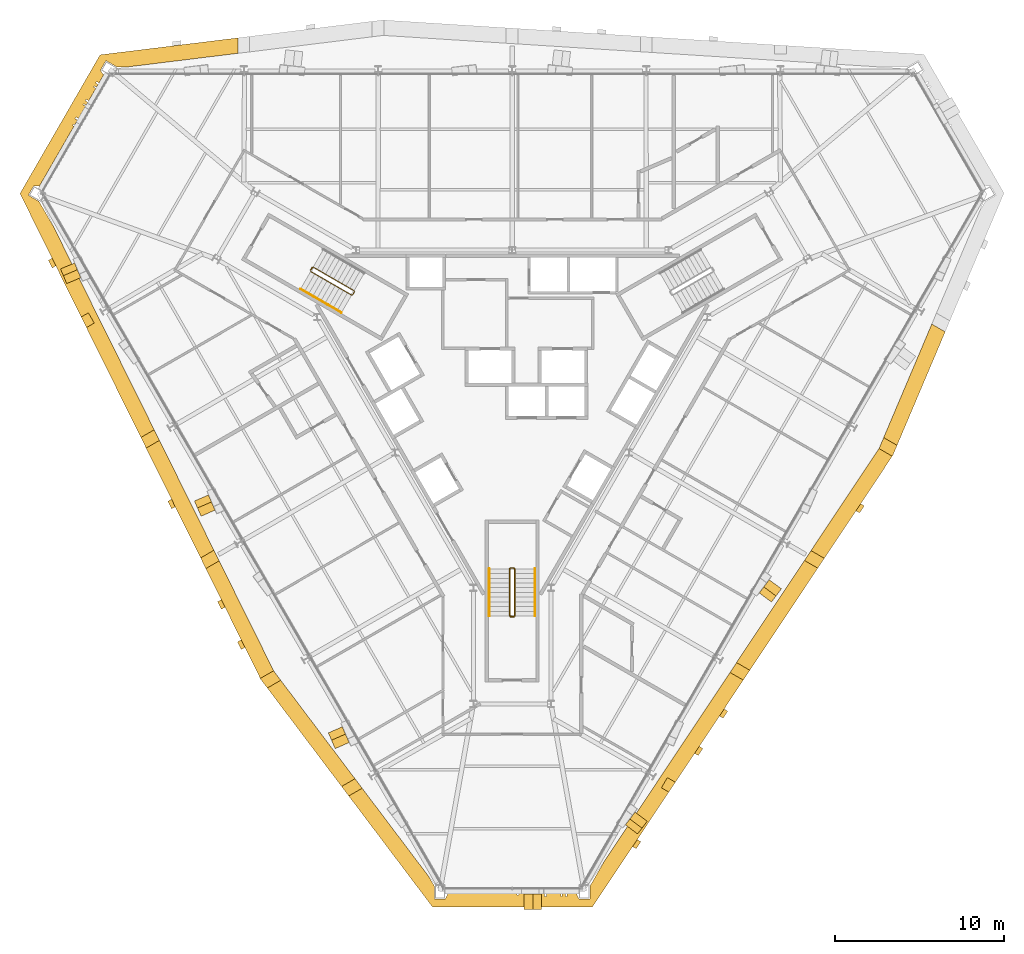
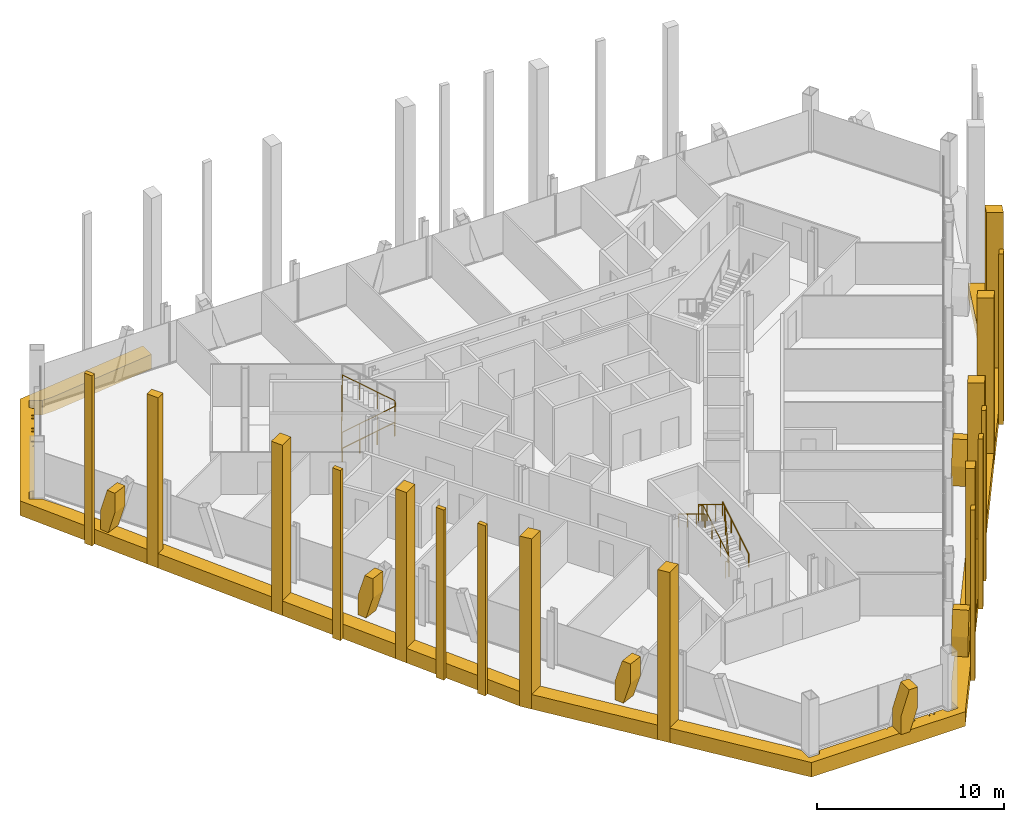
# One storey, part 14 of 15: 31 coverings, 5 railings.
"""IFC4 building model written with IfcOpenShell, lengths in metres."""

from ifc_helpers import new_model, si_unit, direction, frame, origin, origin_2d, place, context, subcontext, project, spatial, polyline, circle, outline, extrude, material, layer, layer_set, type_object, element, save


model = new_model("IFC4")

# Units and contexts
model_context = context("Model", 3, precision=1e-05, world=origin(), true_north=direction((0.0, 1.0)))
body_context = subcontext(model_context, "Body", "Model", "MODEL_VIEW")
ifc_project = project(units=[si_unit("LENGTHUNIT", "METRE"), si_unit("AREAUNIT", "SQUARE_METRE"), si_unit("VOLUMEUNIT", "CUBIC_METRE"), si_unit("PLANEANGLEUNIT", "RADIAN"), si_unit("MASSUNIT", "GRAM", prefix="KILO")], contexts=[model_context])

# Site, building, storey
site_placement = place(None, origin())
site = spatial("IfcSite", under=ifc_project, at=site_placement, CompositionType="ELEMENT")
building_placement = place(site_placement, origin())
building = spatial("IfcBuilding", under=site, at=building_placement, Name="Verrane Prism Tower", CompositionType="ELEMENT")
storey_placement = place(building_placement, frame((0.0, 0.0, 189.5)))
storey = spatial("IfcBuildingStorey", under=building, at=storey_placement, Name="L47", CompositionType="ELEMENT", Elevation=189.5)

# Railings
ifc_material_1 = material(Name="Steel A36 rail and posts, no infill", Category="steel")
railing_type_1 = type_object("IfcRailingType", Name="Stair guard 1100 steel rail and posts", PredefinedType="GUARDRAIL", material=ifc_material_1)
railing_1_placement = place(storey_placement, frame((-11.939453125, 6.72021484375, 0.168212890625)))
element("IfcRailing", 1, at=railing_1_placement, inside=storey, type_object=railing_type_1, Name="Stair 2 guard", PredefinedType="GUARDRAIL", context=body_context, shape_type="SweptSolid", body=[
    extrude(circle(Radius=0.02392578125, at=origin_2d()), frame((0.0, 0.0, 1.076171875), z_axis=(0.742366697286, -0.42866220388, 0.514917859203), x_axis=(0.500049511043, 0.865996816683, 0.0)), (0.0, 0.0, 1.0), 3.266357421875),
    extrude(circle(Radius=0.02392578125, at=origin_2d()), frame((2.4248046875, -1.400146484375, 2.7578125), z_axis=(0.965948051503, 0.258736085224, 0.0), x_axis=(-0.258736085224, 0.965948051503, 0.0)), (0.0, 0.0, 1.0), 0.07080078125),
    extrude(circle(Radius=0.02392578125, at=origin_2d()), frame((2.4931640625, -1.3818359375, 2.7578125), z_axis=(0.499158860599, 0.866510491504, 0.0), x_axis=(-0.866510491504, 0.499158860599, 0.0)), (0.0, 0.0, 1.0), 0.199951171875),
    extrude(circle(Radius=0.02392578125, at=origin_2d()), frame((2.593017578125, -1.20849609375, 2.7578125), z_axis=(-0.10050964758, 0.373895888998, 0.922008500467), x_axis=(-0.965715946433, -0.259601060869, 0.0)), (0.0, 0.0, 1.0), 0.18212890625),
    extrude(circle(Radius=0.02392578125, at=origin_2d()), frame((2.57470703125, -1.140380859375, 2.92578125), z_axis=(-0.742366697286, 0.42866220388, 0.514917859203), x_axis=(-0.500049511043, -0.865996816683, 0.0)), (0.0, 0.0, 1.0), 3.266357421875),
    extrude(circle(Radius=0.02392578125, at=origin_2d()), frame((0.14990234375, 0.259765625, 4.60791015625), z_axis=(-0.04535595117, -0.051675503147, -0.99763343973), x_axis=(0.751567565678, -0.659656118156, 0.0)), (0.0, 0.0, 1.0), 3.708740234375),
    extrude(circle(Radius=0.02392578125, at=origin_2d()), frame((-0.018310546875, 0.068115234375, 0.90771484375), z_axis=(0.499158860599, 0.866510491504, 0.0), x_axis=(-0.866510491504, 0.499158860599, 0.0)), (0.0, 0.0, 1.0), 0.199951171875),
    extrude(circle(Radius=0.02099609375, at=origin_2d()), origin(), (0.0, 0.0, 1.0), 1.052001953125),
    extrude(circle(Radius=0.02099609375, at=origin_2d()), frame((0.808349609375, -0.466796875, 0.560546875)), (0.0, 0.0, 1.0), 1.052001953125),
    extrude(circle(Radius=0.02099609375, at=origin_2d()), frame((1.616455078125, -0.933349609375, 1.121337890625)), (0.0, 0.0, 1.0), 1.052001953125),
    extrude(circle(Radius=0.02099609375, at=origin_2d()), frame((2.4248046875, -1.400146484375, 1.681884765625)), (0.0, 0.0, 1.0), 1.052001953125),
    extrude(circle(Radius=0.02099609375, at=origin_2d()), frame((2.4931640625, -1.3818359375, 1.681884765625)), (0.0, 0.0, 1.0), 1.052001953125),
    extrude(circle(Radius=0.02099609375, at=origin_2d()), frame((2.593017578125, -1.20849609375, 1.681884765625)), (0.0, 0.0, 1.0), 1.052001953125),
    extrude(circle(Radius=0.02099609375, at=origin_2d()), frame((2.57470703125, -1.140380859375, 1.849853515625)), (0.0, 0.0, 1.0), 1.052001953125),
    extrude(circle(Radius=0.02099609375, at=origin_2d()), frame((1.766357421875, -0.673583984375, 2.410400390625)), (0.0, 0.0, 1.0), 1.052001953125),
    extrude(circle(Radius=0.02099609375, at=origin_2d()), frame((0.958251953125, -0.20703125, 2.97119140625)), (0.0, 0.0, 1.0), 1.052001953125),
    extrude(circle(Radius=0.02099609375, at=origin_2d()), frame((0.14990234375, 0.259765625, 3.53173828125)), (0.0, 0.0, 1.0), 1.052001953125),
    extrude(circle(Radius=0.02099609375, at=origin_2d()), frame((0.10791015625, 0.2119140625, 2.606689453125)), (0.0, 0.0, 1.0), 1.052001953125),
    extrude(circle(Radius=0.02099609375, at=origin_2d()), frame((0.06591796875, 0.1640625, 1.681640625)), (0.0, 0.0, 1.0), 1.052001953125),
    extrude(circle(Radius=0.02099609375, at=origin_2d()), frame((0.023681640625, 0.115966796875, 0.7568359375)), (0.0, 0.0, 1.0), 1.052001953125),
    extrude(circle(Radius=0.02099609375, at=origin_2d()), frame((-0.018310546875, 0.068115234375, -0.168212890625)), (0.0, 0.0, 1.0), 1.052001953125),
    extrude(circle(Radius=0.02099609375, at=origin_2d()), frame((0.08154296875, 0.241455078125, -0.168212890625)), (0.0, 0.0, 1.0), 1.052001953125),
])
railing_2_placement = place(storey_placement, frame((0.14990234375, -13.699951171875, 0.168212890625)))
element("IfcRailing", 2, at=railing_2_placement, inside=storey, type_object=railing_type_1, Name="Stair 3 guard", PredefinedType="GUARDRAIL", context=body_context, shape_type="SweptSolid", body=[
    extrude(circle(Radius=0.02392578125, at=origin_2d()), frame((0.0, 0.0, 1.076171875), z_axis=(0.0, 0.857242210791, 0.514913383045), x_axis=(-1.0, 0.0, 0.0)), (0.0, 0.0, 1.0), 3.266357421875),
    extrude(circle(Radius=0.02392578125, at=origin_2d()), frame((0.0, 2.800048828125, 2.7578125), z_axis=(-0.707106781187, 0.707106781187, 0.0), x_axis=(-0.707106781187, -0.707106781187, 0.0)), (0.0, 0.0, 1.0), 0.0703125),
    extrude(circle(Radius=0.02392578125, at=origin_2d()), frame((-0.0498046875, 2.849853515625, 2.7578125), z_axis=(-1.0, 0.0, 0.0), x_axis=(0.0, -1.0, 0.0)), (0.0, 0.0, 1.0), 0.2001953125),
    extrude(circle(Radius=0.02392578125, at=origin_2d()), frame((-0.25, 2.849853515625, 2.7578125), z_axis=(-0.273443704961, -0.273443704961, 0.922202299083), x_axis=(0.707106781187, -0.707106781187, 0.0)), (0.0, 0.0, 1.0), 0.18212890625),
    extrude(circle(Radius=0.02392578125, at=origin_2d()), frame((-0.2998046875, 2.800048828125, 2.92578125), z_axis=(0.0, -0.857242210791, 0.514913383045), x_axis=(1.0, 0.0, 0.0)), (0.0, 0.0, 1.0), 3.266357421875),
    extrude(circle(Radius=0.02392578125, at=origin_2d()), frame((-0.2998046875, 0.0, 4.60791015625), z_axis=(0.067408604812, -0.013494886706, -0.997634185476), x_axis=(0.196300278283, 0.98054382908, 0.0)), (0.0, 0.0, 1.0), 3.708740234375),
    extrude(circle(Radius=0.02392578125, at=origin_2d()), frame((-0.0498046875, -0.050048828125, 0.90771484375), z_axis=(-1.0, 0.0, 0.0), x_axis=(0.0, -1.0, 0.0)), (0.0, 0.0, 1.0), 0.2001953125),
    extrude(circle(Radius=0.02099609375, at=origin_2d()), origin(), (0.0, 0.0, 1.0), 1.052001953125),
    extrude(circle(Radius=0.02099609375, at=origin_2d()), frame((0.0, 0.933349609375, 0.560546875)), (0.0, 0.0, 1.0), 1.052001953125),
    extrude(circle(Radius=0.02099609375, at=origin_2d()), frame((0.0, 1.86669921875, 1.121337890625)), (0.0, 0.0, 1.0), 1.052001953125),
    extrude(circle(Radius=0.02099609375, at=origin_2d()), frame((0.0, 2.800048828125, 1.681884765625)), (0.0, 0.0, 1.0), 1.052001953125),
    extrude(circle(Radius=0.02099609375, at=origin_2d()), frame((-0.0498046875, 2.849853515625, 1.681884765625)), (0.0, 0.0, 1.0), 1.052001953125),
    extrude(circle(Radius=0.02099609375, at=origin_2d()), frame((-0.25, 2.849853515625, 1.681884765625)), (0.0, 0.0, 1.0), 1.052001953125),
    extrude(circle(Radius=0.02099609375, at=origin_2d()), frame((-0.2998046875, 2.800048828125, 1.849853515625)), (0.0, 0.0, 1.0), 1.052001953125),
    extrude(circle(Radius=0.02099609375, at=origin_2d()), frame((-0.2998046875, 1.86669921875, 2.410400390625)), (0.0, 0.0, 1.0), 1.052001953125),
    extrude(circle(Radius=0.02099609375, at=origin_2d()), frame((-0.2998046875, 0.933349609375, 2.97119140625)), (0.0, 0.0, 1.0), 1.052001953125),
    extrude(circle(Radius=0.02099609375, at=origin_2d()), frame((-0.2998046875, 0.0, 3.53173828125)), (0.0, 0.0, 1.0), 1.052001953125),
    extrude(circle(Radius=0.02099609375, at=origin_2d()), frame((-0.2373046875, -0.012451171875, 2.606689453125)), (0.0, 0.0, 1.0), 1.052001953125),
    extrude(circle(Radius=0.02099609375, at=origin_2d()), frame((-0.1748046875, -0.02490234375, 1.681640625)), (0.0, 0.0, 1.0), 1.052001953125),
    extrude(circle(Radius=0.02099609375, at=origin_2d()), frame((-0.1123046875, -0.03759765625, 0.7568359375)), (0.0, 0.0, 1.0), 1.052001953125),
    extrude(circle(Radius=0.02099609375, at=origin_2d()), frame((-0.0498046875, -0.050048828125, -0.168212890625)), (0.0, 0.0, 1.0), 1.052001953125),
    extrude(circle(Radius=0.02099609375, at=origin_2d()), frame((-0.25, -0.050048828125, -0.168212890625)), (0.0, 0.0, 1.0), 1.052001953125),
])
ifc_material_2 = material(Name="Steel A36 tube", Category="steel")
railing_type_2 = type_object("IfcRailingType", Name="Stair handrail 900 steel tube", PredefinedType="HANDRAIL", material=ifc_material_2)
railing_3_placement = place(storey_placement, frame((-12.53955078125, 5.680908203125, 0.168212890625)))
element("IfcRailing", 3, at=railing_3_placement, inside=storey, type_object=railing_type_2, Name="Stair 2 handrail", PredefinedType="HANDRAIL", context=body_context, shape_type="SweptSolid", body=[
    extrude(circle(Radius=0.02392578125, at=origin_2d()), frame((0.0, 0.0, 0.8759765625), z_axis=(0.742366697286, -0.42866220388, 0.514917859203), x_axis=(0.500049511043, 0.865996816683, 0.0)), (0.0, 0.0, 1.0), 3.266357421875),
    extrude(circle(Radius=0.02099609375, at=origin_2d()), origin(), (0.0, 0.0, 1.0), 0.851806640625),
    extrude(circle(Radius=0.02099609375, at=origin_2d()), frame((0.808349609375, -0.466796875, 0.560546875)), (0.0, 0.0, 1.0), 0.851806640625),
    extrude(circle(Radius=0.02099609375, at=origin_2d()), frame((1.616455078125, -0.933349609375, 1.121337890625)), (0.0, 0.0, 1.0), 0.851806640625),
    extrude(circle(Radius=0.02099609375, at=origin_2d()), frame((2.4248046875, -1.400146484375, 1.681884765625)), (0.0, 0.0, 1.0), 0.851806640625),
])
railing_4_placement = place(storey_placement, frame((1.35009765625, -13.699951171875, 0.168212890625)))
element("IfcRailing", 4, at=railing_4_placement, inside=storey, type_object=railing_type_2, Name="Stair 3 handrail", PredefinedType="HANDRAIL", context=body_context, shape_type="SweptSolid", body=[
    extrude(circle(Radius=0.02392578125, at=origin_2d()), frame((0.0, 0.0, 0.8759765625), z_axis=(0.0, 0.857242210791, 0.514913383045), x_axis=(-1.0, 0.0, 0.0)), (0.0, 0.0, 1.0), 3.266357421875),
    extrude(circle(Radius=0.02099609375, at=origin_2d()), origin(), (0.0, 0.0, 1.0), 0.851806640625),
    extrude(circle(Radius=0.02099609375, at=origin_2d()), frame((0.0, 0.933349609375, 0.560546875)), (0.0, 0.0, 1.0), 0.851806640625),
    extrude(circle(Radius=0.02099609375, at=origin_2d()), frame((0.0, 1.86669921875, 1.121337890625)), (0.0, 0.0, 1.0), 0.851806640625),
    extrude(circle(Radius=0.02099609375, at=origin_2d()), frame((0.0, 2.800048828125, 1.681884765625)), (0.0, 0.0, 1.0), 0.851806640625),
])
railing_5_placement = place(storey_placement, frame((-1.35009765625, -10.89990234375, 2.01806640625)))
element("IfcRailing", 5, at=railing_5_placement, inside=storey, type_object=railing_type_2, Name="Stair 3 handrail", PredefinedType="HANDRAIL", context=body_context, shape_type="SweptSolid", body=[
    extrude(circle(Radius=0.02392578125, at=origin_2d()), frame((0.0, 0.0, 0.8759765625), z_axis=(0.0, -0.857242210791, 0.514913383045), x_axis=(1.0, 0.0, 0.0)), (0.0, 0.0, 1.0), 3.266357421875),
    extrude(circle(Radius=0.02099609375, at=origin_2d()), origin(), (0.0, 0.0, 1.0), 0.851806640625),
    extrude(circle(Radius=0.02099609375, at=origin_2d()), frame((0.0, -0.933349609375, 0.560546875)), (0.0, 0.0, 1.0), 0.851806640625),
    extrude(circle(Radius=0.02099609375, at=origin_2d()), frame((0.0, -1.86669921875, 1.121337890625)), (0.0, 0.0, 1.0), 0.851806640625),
    extrude(circle(Radius=0.02099609375, at=origin_2d()), frame((0.0, -2.800048828125, 1.681884765625)), (0.0, 0.0, 1.0), 0.851806640625),
])

# Coverings
ifc_material_3 = material(Name="Warm limestone cladding", Category="masonry")
ifc_layer_1 = layer(ifc_material_3, 0.89990234375)
ifc_layer_set_1 = layer_set([ifc_layer_1], Name="Stone brace fin 900")
covering_type_1 = type_object("IfcCoveringType", Name="Stone brace fin 900", PredefinedType="CLADDING", material=ifc_layer_set_1)
covering_1_placement = place(storey_placement, frame((-26.345703125, 7.046875, 0.0), z_axis=(0.0, 0.0, 1.0), x_axis=(0.388311935951, -0.921527992194, 0.0)))
element("IfcCovering", 6, at=covering_1_placement, inside=storey, type_object=covering_type_1, Name="Stone brace fin SW1 L47", PredefinedType="CLADDING", context=body_context, shape_type="SweptSolid", body=[
    extrude(outline(polyline([(0.94189453125, 2.75), (0.43212890625, 2.75), (0.0, 1.283203125), (0.0, 0.0), (0.505859375, 0.0), (0.94189453125, 1.4794921875), (0.94189453125, 2.75)])), frame((0.0, 0.449951171875, 0.0), z_axis=(0.0, -1.0, 0.0), x_axis=(1.0, 0.0, 0.0)), (0.0, 0.0, 1.0), 0.89990234375),
])
covering_2_placement = place(storey_placement, frame((-18.41015625, -6.701904296875, 0.0), z_axis=(0.0, 0.0, 1.0), x_axis=(0.39533008399, -0.918539125292, 0.0)))
element("IfcCovering", 7, at=covering_2_placement, inside=storey, type_object=covering_type_1, Name="Stone brace fin SW3 L47", PredefinedType="CLADDING", context=body_context, shape_type="SweptSolid", body=[
    extrude(outline(polyline([(0.981201171875, 2.75), (0.4501953125, 2.75), (0.0, 1.283203125), (0.0, 0.0), (0.527099609375, 0.0), (0.981201171875, 1.4794921875), (0.981201171875, 2.75)])), frame((0.0, 0.449951171875, 0.0), z_axis=(0.0, -1.0, 0.0), x_axis=(1.0, 0.0, 0.0)), (0.0, 0.0, 1.0), 0.89990234375),
])
covering_3_placement = place(storey_placement, frame((-10.47900390625, -20.43994140625, 0.0), z_axis=(0.0, 0.0, 1.0), x_axis=(0.399296029733, -0.916822055057, 0.0)))
element("IfcCovering", 8, at=covering_3_placement, inside=storey, type_object=covering_type_1, Name="Stone brace fin SW5 L47", PredefinedType="CLADDING", context=body_context, shape_type="SweptSolid", body=[
    extrude(outline(polyline([(1.01806640625, 2.75), (0.47265625, 2.75), (0.0, 1.26611328125), (0.0, 0.0), (0.541259765625, 0.0), (1.01806640625, 1.496826171875), (1.01806640625, 2.75)])), frame((0.0, 0.449951171875, 0.0), z_axis=(0.0, -1.0, 0.0), x_axis=(1.0, 0.0, 0.0)), (0.0, 0.0, 1.0), 0.89990234375),
])
covering_4_placement = place(storey_placement, frame((7.074462890625, -26.33837890625, 0.0), z_axis=(0.0, 0.0, 1.0), x_axis=(0.601574697269, 0.79881655191, 0.0)))
element("IfcCovering", 9, at=covering_4_placement, inside=storey, type_object=covering_type_1, Name="Stone brace fin SE1 L47", PredefinedType="CLADDING", context=body_context, shape_type="SweptSolid", body=[
    extrude(outline(polyline([(0.942138671875, 2.75), (0.432373046875, 2.75), (0.0, 1.283203125), (0.0, 0.0), (0.506103515625, 0.0), (0.942138671875, 1.4794921875), (0.942138671875, 2.75)])), frame((0.0, 0.449951171875, 0.0), z_axis=(0.0, -1.0, 0.0), x_axis=(1.0, 0.0, 0.0)), (0.0, 0.0, 1.0), 0.89990234375),
])
covering_5_placement = place(storey_placement, frame((15.006591796875, -12.59765625, 0.0), z_axis=(0.0, 0.0, 1.0), x_axis=(0.597842895172, 0.801613293735, 0.0)))
element("IfcCovering", 10, at=covering_5_placement, inside=storey, type_object=covering_type_1, Name="Stone brace fin SE3 L47", PredefinedType="CLADDING", context=body_context, shape_type="SweptSolid", body=[
    extrude(outline(polyline([(0.978759765625, 2.75), (0.44921875, 2.75), (0.0, 1.283203125), (0.0, 0.0), (0.525634765625, 0.0), (0.978759765625, 1.4794921875), (0.978759765625, 2.75)])), frame((0.0, 0.449951171875, 0.0), z_axis=(0.0, -1.0, 0.0), x_axis=(1.0, 0.0, 0.0)), (0.0, 0.0, 1.0), 0.89990234375),
])
covering_6_placement = place(storey_placement, frame((0.709228515625, -30.622314453125, 0.0), z_axis=(0.0, 0.0, 1.0), x_axis=(1.0, 0.0, 0.0)))
element("IfcCovering", 11, at=covering_6_placement, inside=storey, type_object=covering_type_1, Name="Stone brace fin S1 L47", PredefinedType="CLADDING", context=body_context, shape_type="SweptSolid", body=[
    extrude(outline(polyline([(1.02734375, 2.75), (0.51513671875, 2.75), (0.0, 1.19140625), (0.0, 0.0), (0.55419921875, 0.0), (1.02734375, 1.431640625), (1.02734375, 2.75)])), frame((0.0, 0.449951171875, 0.0), z_axis=(0.0, -1.0, 0.0), x_axis=(1.0, 0.0, 0.0)), (0.0, 0.0, 1.0), 0.89990234375),
])
ifc_material_4 = material(Name="Warm limestone cladding", Category="masonry")
covering_type_2 = type_object("IfcCoveringType", Name="Stone mullion pier 500", PredefinedType="CLADDING", material=ifc_material_4)
covering_7_placement = place(storey_placement, frame((0.0, 0.0, -0.949951171875)))
element("IfcCovering", 12, at=covering_7_placement, inside=storey, type_object=covering_type_2, Name="Stone pier SM-SW0.1 L47-L49", PredefinedType="CLADDING", context=body_context, shape_type="SweptSolid", body=[
    extrude(outline(polyline([(-27.04052734375, 7.0556640625), (-27.26318359375, 7.50439453125), (-27.47998046875, 7.379150390625), (-27.257568359375, 6.930419921875), (-27.04052734375, 7.0556640625)])), origin(), (0.0, 0.0, 1.0), 11.099853515625),
])
covering_8_placement = place(storey_placement, frame((0.0, 0.0, -0.949951171875)))
element("IfcCovering", 13, at=covering_8_placement, inside=storey, type_object=covering_type_2, Name="Stone pier SM-SW2.1 L47-L49", PredefinedType="CLADDING", context=body_context, shape_type="SweptSolid", body=[
    extrude(outline(polyline([(-19.963134765625, -7.22314453125), (-20.185546875, -6.7744140625), (-20.402587890625, -6.8994140625), (-20.18017578125, -7.348388671875), (-19.963134765625, -7.22314453125)])), origin(), (0.0, 0.0, 1.0), 11.099853515625),
])
covering_9_placement = place(storey_placement, frame((0.0, 0.0, -0.949951171875)))
element("IfcCovering", 14, at=covering_9_placement, inside=storey, type_object=covering_type_2, Name="Stone pier SM-SW3.1 L47-L49", PredefinedType="CLADDING", context=body_context, shape_type="SweptSolid", body=[
    extrude(outline(polyline([(-17.01416015625, -13.172607421875), (-17.23681640625, -12.7236328125), (-17.45361328125, -12.84912109375), (-17.231201171875, -13.2978515625), (-17.01416015625, -13.172607421875)])), origin(), (0.0, 0.0, 1.0), 11.099853515625),
])
covering_10_placement = place(storey_placement, frame((0.0, 0.0, -0.949951171875)))
element("IfcCovering", 15, at=covering_10_placement, inside=storey, type_object=covering_type_2, Name="Stone pier SM-SW3.2 L47-L49", PredefinedType="CLADDING", context=body_context, shape_type="SweptSolid", body=[
    extrude(outline(polyline([(-15.834716796875, -15.552490234375), (-16.05712890625, -15.103515625), (-16.27392578125, -15.228759765625), (-16.051513671875, -15.677490234375), (-15.834716796875, -15.552490234375)])), origin(), (0.0, 0.0, 1.0), 11.099853515625),
])
covering_11_placement = place(storey_placement, frame((0.0, 0.0, -0.949951171875)))
element("IfcCovering", 16, at=covering_11_placement, inside=storey, type_object=covering_type_2, Name="Stone pier SM-SE0.1 L47-L49", PredefinedType="CLADDING", context=body_context, shape_type="SweptSolid", body=[
    extrude(outline(polyline([(7.409912109375, -26.945556640625), (7.132568359375, -27.36279296875), (7.349365234375, -27.488037109375), (7.626953125, -27.07080078125), (7.409912109375, -26.945556640625)])), origin(), (0.0, 0.0, 1.0), 11.099853515625),
])
covering_12_placement = place(storey_placement, frame((0.0, 0.0, -0.949951171875)))
element("IfcCovering", 17, at=covering_12_placement, inside=storey, type_object=covering_type_2, Name="Stone pier SM-SE1.1 L47-L49", PredefinedType="CLADDING", context=body_context, shape_type="SweptSolid", body=[
    extrude(outline(polyline([(11.087890625, -21.4169921875), (10.810302734375, -21.834228515625), (11.02734375, -21.95947265625), (11.3046875, -21.542236328125), (11.087890625, -21.4169921875)])), origin(), (0.0, 0.0, 1.0), 11.099853515625),
])
covering_13_placement = place(storey_placement, frame((0.0, 0.0, -0.949951171875)))
element("IfcCovering", 18, at=covering_13_placement, inside=storey, type_object=covering_type_2, Name="Stone pier SM-SE1.2 L47-L49", PredefinedType="CLADDING", context=body_context, shape_type="SweptSolid", body=[
    extrude(outline(polyline([(12.55908203125, -19.20556640625), (12.281494140625, -19.622802734375), (12.49853515625, -19.747802734375), (12.776123046875, -19.330810546875), (12.55908203125, -19.20556640625)])), origin(), (0.0, 0.0, 1.0), 11.099853515625),
])
covering_14_placement = place(storey_placement, frame((0.0, 0.0, -0.949951171875)))
element("IfcCovering", 19, at=covering_14_placement, inside=storey, type_object=covering_type_2, Name="Stone pier SM-SE3.1 L47-L49", PredefinedType="CLADDING", context=body_context, shape_type="SweptSolid", body=[
    extrude(outline(polyline([(20.650390625, -7.042724609375), (20.373046875, -7.459716796875), (20.58984375, -7.585205078125), (20.867431640625, -7.16796875), (20.650390625, -7.042724609375)])), origin(), (0.0, 0.0, 1.0), 11.099853515625),
])
ifc_material_5 = material(Name="Warm limestone cladding", Category="masonry")
covering_type_3 = type_object("IfcCoveringType", Name="Stone pier 700", PredefinedType="CLADDING", material=ifc_material_5)
covering_15_placement = place(storey_placement, frame((0.0, 0.0, -0.949951171875)))
element("IfcCovering", 20, at=covering_15_placement, inside=storey, type_object=covering_type_3, Name="Stone pier PC-SW1 L47-L49", PredefinedType="CLADDING", context=body_context, shape_type="SweptSolid", body=[
    extrude(outline(polyline([(-24.76220703125, 3.664306640625), (-24.823486328125, 3.7705078125), (-25.1123046875, 4.2705078125), (-25.5380859375, 4.024658203125), (-25.226806640625, 3.39599609375), (-24.76220703125, 3.664306640625)])), origin(), (0.0, 0.0, 1.0), 11.099853515625),
])
covering_16_placement = place(storey_placement, frame((0.0, 0.0, -0.949951171875)))
element("IfcCovering", 21, at=covering_16_placement, inside=storey, type_object=covering_type_3, Name="Stone pier PC-SW2 L47-L49", PredefinedType="CLADDING", context=body_context, shape_type="SweptSolid", body=[
    extrude(outline(polyline([(-21.68798828125, -3.743408203125), (-20.8984375, -3.287353515625), (-21.2099609375, -2.658935546875), (-21.99951171875, -3.11474609375), (-21.68798828125, -3.743408203125)])), origin(), (0.0, 0.0, 1.0), 11.099853515625),
])
covering_17_placement = place(storey_placement, frame((0.0, 0.0, -0.949951171875)))
element("IfcCovering", 22, at=covering_17_placement, inside=storey, type_object=covering_type_3, Name="Stone pier PC-SW3 L47-L49", PredefinedType="CLADDING", context=body_context, shape_type="SweptSolid", body=[
    extrude(outline(polyline([(-18.1494140625, -10.882568359375), (-17.35986328125, -10.4267578125), (-17.67138671875, -9.79833984375), (-18.460693359375, -10.254150390625), (-18.1494140625, -10.882568359375)])), origin(), (0.0, 0.0, 1.0), 11.099853515625),
])
covering_18_placement = place(storey_placement, frame((0.0, 0.0, -0.949951171875)))
element("IfcCovering", 23, at=covering_18_placement, inside=storey, type_object=covering_type_3, Name="Stone pier PC-SW4 L47-L49", PredefinedType="CLADDING", context=body_context, shape_type="SweptSolid", body=[
    extrude(outline(polyline([(-14.5068359375, -17.962158203125), (-13.712890625, -17.50390625), (-14.118408203125, -16.96630859375), (-14.132568359375, -16.937744140625), (-14.922119140625, -17.3935546875), (-14.895751953125, -17.446533203125), (-14.5068359375, -17.962158203125)])), origin(), (0.0, 0.0, 1.0), 11.099853515625),
])
covering_19_placement = place(storey_placement, frame((0.0, 0.0, -0.949951171875)))
element("IfcCovering", 24, at=covering_19_placement, inside=storey, type_object=covering_type_3, Name="Stone pier PC-SW5 L47-L49", PredefinedType="CLADDING", context=body_context, shape_type="SweptSolid", body=[
    extrude(outline(polyline([(-9.681640625, -24.35888671875), (-8.8876953125, -23.900390625), (-9.3125, -23.33740234375), (-10.1064453125, -23.795654296875), (-9.681640625, -24.35888671875)])), origin(), (0.0, 0.0, 1.0), 11.099853515625),
])
covering_20_placement = place(storey_placement, frame((0.0, 0.0, -0.949951171875)))
element("IfcCovering", 25, at=covering_20_placement, inside=storey, type_object=covering_type_3, Name="Stone pier PC-SE1 L47-L49", PredefinedType="CLADDING", context=body_context, shape_type="SweptSolid", body=[
    extrude(outline(polyline([(9.197021484375, -23.270751953125), (9.00341796875, -23.60595703125), (8.846923828125, -23.876953125), (9.28369140625, -24.12890625), (9.672119140625, -23.544921875), (9.197021484375, -23.270751953125)])), origin(), (0.0, 0.0, 1.0), 11.099853515625),
])
covering_21_placement = place(storey_placement, frame((0.0, 0.0, -0.949951171875)))
element("IfcCovering", 26, at=covering_21_placement, inside=storey, type_object=covering_type_3, Name="Stone pier PC-SE2 L47-L49", PredefinedType="CLADDING", context=body_context, shape_type="SweptSolid", body=[
    extrude(outline(polyline([(14.085693359375, -16.91064453125), (13.29638671875, -16.454833984375), (12.90771484375, -17.038818359375), (13.697265625, -17.49462890625), (14.085693359375, -16.91064453125)])), origin(), (0.0, 0.0, 1.0), 11.099853515625),
])
covering_22_placement = place(storey_placement, frame((0.0, 0.0, -0.949951171875)))
element("IfcCovering", 27, at=covering_22_placement, inside=storey, type_object=covering_type_3, Name="Stone pier PC-SE3 L47-L49", PredefinedType="CLADDING", context=body_context, shape_type="SweptSolid", body=[
    extrude(outline(polyline([(18.499267578125, -10.2763671875), (17.709716796875, -9.820556640625), (17.3212890625, -10.404541015625), (18.11083984375, -10.8603515625), (18.499267578125, -10.2763671875)])), origin(), (0.0, 0.0, 1.0), 11.099853515625),
])
covering_23_placement = place(storey_placement, frame((0.0, 0.0, -0.949951171875)))
element("IfcCovering", 28, at=covering_23_placement, inside=storey, type_object=covering_type_3, Name="Stone pier PC-SE4 L47-L49", PredefinedType="CLADDING", context=body_context, shape_type="SweptSolid", body=[
    extrude(outline(polyline([(22.80908203125, -3.582275390625), (22.01513671875, -3.123779296875), (21.75244140625, -3.74365234375), (21.73486328125, -3.770263671875), (22.5244140625, -4.22607421875), (22.556884765625, -4.1767578125), (22.80908203125, -3.582275390625)])), origin(), (0.0, 0.0, 1.0), 11.099853515625),
])
ifc_material_6 = material(Name="Warm limestone cladding", Category="masonry")
ifc_layer_2 = layer(ifc_material_6, 0.449951171875)
ifc_layer_set_2 = layer_set([ifc_layer_2], Name="Stone spandrel band 450")
covering_type_4 = type_object("IfcCoveringType", Name="Stone spandrel band 450", PredefinedType="CLADDING", material=ifc_layer_set_2)
covering_24_placement = place(storey_placement, frame((0.0, 0.0, -0.949951171875)))
element("IfcCovering", 29, at=covering_24_placement, inside=storey, type_object=covering_type_4, Name="Stone spandrel band L47 part 1", PredefinedType="CLADDING", context=body_context, shape_type="SweptSolid", body=[
    extrude(outline(polyline([(4.762451171875, -30.92529296875), (9.28369140625, -24.12890625), (8.846923828125, -23.876953125), (9.197021484375, -23.270751953125), (9.672119140625, -23.544921875), (13.697265625, -17.49462890625), (12.90771484375, -17.038818359375), (5.440185546875, -28.263916015625), (4.610107421875, -29.701904296875), (4.610107421875, -30.449951171875), (3.949951171875, -30.449951171875), (3.949951171875, -30.427978515625), (3.839111328125, -30.239013671875), (3.839111328125, -30.148681640625), (3.261962890625, -30.148681640625), (3.261962890625, -30.320068359375), (3.152099609375, -30.320068359375), (3.152099609375, -30.148681640625), (2.959228515625, -30.148681640625), (2.959228515625, -30.320068359375), (2.887939453125, -30.320068359375), (2.887939453125, -30.148681640625), (2.04541015625, -30.148681640625), (2.04541015625, -30.320068359375), (1.93212890625, -30.320068359375), (1.93212890625, -30.148681640625), (1.736572265625, -30.148681640625), (1.736572265625, -30.320068359375), (1.665283203125, -30.320068359375), (1.665283203125, -30.148681640625), (0.822509765625, -30.148681640625), (0.822509765625, -30.320068359375), (0.709228515625, -30.320068359375), (0.709228515625, -30.148681640625), (0.426025390625, -30.148681640625), (0.34375, -30.263916015625), (0.27587890625, -30.21533203125), (0.323486328125, -30.148681640625), (-3.839111328125, -30.148681640625), (-3.839111328125, -30.239013671875), (-3.949951171875, -30.427978515625), (-3.949951171875, -30.449951171875), (-4.610107421875, -30.449951171875), (-4.610107421875, -29.701904296875), (-4.931396484375, -29.1455078125), (-8.8876953125, -23.900390625), (-9.681640625, -24.35888671875), (-4.728271484375, -30.92529296875), (4.762451171875, -30.92529296875)])), origin(), (0.0, 0.0, 1.0), 0.949951171875),
])
covering_25_placement = place(storey_placement, frame((0.0, 0.0, -0.949951171875)))
element("IfcCovering", 30, at=covering_25_placement, inside=storey, type_object=covering_type_4, Name="Stone spandrel band L47 part 3", PredefinedType="CLADDING", context=body_context, shape_type="SweptSolid", body=[
    extrude(outline(polyline([(-21.99951171875, -3.11474609375), (-21.2099609375, -2.658935546875), (-27.197509765625, 9.42041015625), (-28.037353515625, 10.87548828125), (-28.66748046875, 11.2392578125), (-28.33740234375, 11.810791015625), (-28.318359375, 11.7998046875), (-28.099609375, 11.7998046875), (-28.025146484375, 11.7568359375), (-25.948974609375, 15.352783203125), (-26.0263671875, 15.3447265625), (-26.034912109375, 15.427734375), (-25.897705078125, 15.441650390625), (-25.7548828125, 15.688720703125), (-25.901123046875, 15.77294921875), (-25.844482421875, 15.870849609375), (-25.698486328125, 15.78662109375), (-25.27783203125, 16.51513671875), (-25.42431640625, 16.599609375), (-25.388671875, 16.6611328125), (-25.2421875, 16.57666015625), (-25.144775390625, 16.745849609375), (-25.291015625, 16.830078125), (-25.234619140625, 16.927978515625), (-25.088134765625, 16.84375), (-24.667724609375, 17.572021484375), (-24.814208984375, 17.656494140625), (-24.778564453125, 17.71826171875), (-24.632080078125, 17.6337890625), (-24.535888671875, 17.80029296875), (-24.6826171875, 17.885009765625), (-24.627685546875, 17.979736328125), (-24.481201171875, 17.895263671875), (-24.192138671875, 18.3955078125), (-24.267578125, 18.43896484375), (-24.37841796875, 18.628173828125), (-24.3974609375, 18.63916015625), (-24.0673828125, 19.210693359375), (-23.430908203125, 18.843505859375), (-22.775146484375, 18.843505859375), (-16.25439453125, 19.647216796875), (-16.25439453125, 20.56396484375), (-24.41796875, 19.5576171875), (-29.163330078125, 11.338134765625), (-25.5380859375, 4.024658203125), (-25.1123046875, 4.2705078125), (-24.76220703125, 3.664306640625), (-25.226806640625, 3.39599609375), (-21.99951171875, -3.11474609375)])), origin(), (0.0, 0.0, 1.0), 0.949951171875),
])
covering_26_placement = place(storey_placement, frame((0.0, 0.0, -0.949951171875)))
element("IfcCovering", 31, at=covering_26_placement, inside=storey, type_object=covering_type_4, Name="Stone spandrel band L47 part 4", PredefinedType="CLADDING", context=body_context, shape_type="SweptSolid", body=[
    extrude(outline(polyline([(-17.67138671875, -9.79833984375), (-20.8984375, -3.287353515625), (-21.68798828125, -3.743408203125), (-18.460693359375, -10.254150390625), (-17.67138671875, -9.79833984375)])), origin(), (0.0, 0.0, 1.0), 0.949951171875),
])
covering_27_placement = place(storey_placement, frame((0.0, 0.0, -0.949951171875)))
element("IfcCovering", 32, at=covering_27_placement, inside=storey, type_object=covering_type_4, Name="Stone spandrel band L47 part 5", PredefinedType="CLADDING", context=body_context, shape_type="SweptSolid", body=[
    extrude(outline(polyline([(-14.132568359375, -16.937744140625), (-17.35986328125, -10.4267578125), (-18.1494140625, -10.882568359375), (-14.922119140625, -17.3935546875), (-14.132568359375, -16.937744140625)])), origin(), (0.0, 0.0, 1.0), 0.949951171875),
])
covering_28_placement = place(storey_placement, frame((0.0, 0.0, -0.949951171875)))
element("IfcCovering", 33, at=covering_28_placement, inside=storey, type_object=covering_type_4, Name="Stone spandrel band L47 part 6", PredefinedType="CLADDING", context=body_context, shape_type="SweptSolid", body=[
    extrude(outline(polyline([(-10.1064453125, -23.795654296875), (-9.3125, -23.33740234375), (-13.712890625, -17.50390625), (-14.5068359375, -17.962158203125), (-10.1064453125, -23.795654296875)])), origin(), (0.0, 0.0, 1.0), 0.949951171875),
])
covering_29_placement = place(storey_placement, frame((0.0, 0.0, -0.949951171875)))
element("IfcCovering", 34, at=covering_29_placement, inside=storey, type_object=covering_type_4, Name="Stone spandrel band L47 part 7", PredefinedType="CLADDING", context=body_context, shape_type="SweptSolid", body=[
    extrude(outline(polyline([(18.11083984375, -10.8603515625), (17.3212890625, -10.404541015625), (13.29638671875, -16.454833984375), (14.085693359375, -16.91064453125), (18.11083984375, -10.8603515625)])), origin(), (0.0, 0.0, 1.0), 0.949951171875),
])
covering_30_placement = place(storey_placement, frame((0.0, 0.0, -0.949951171875)))
element("IfcCovering", 35, at=covering_30_placement, inside=storey, type_object=covering_type_4, Name="Stone spandrel band L47 part 8", PredefinedType="CLADDING", context=body_context, shape_type="SweptSolid", body=[
    extrude(outline(polyline([(21.73486328125, -3.770263671875), (17.709716796875, -9.820556640625), (18.499267578125, -10.2763671875), (22.5244140625, -4.22607421875), (21.73486328125, -3.770263671875)])), origin(), (0.0, 0.0, 1.0), 0.949951171875),
])
covering_31_placement = place(storey_placement, frame((0.0, 0.0, -0.949951171875)))
element("IfcCovering", 36, at=covering_31_placement, inside=storey, type_object=covering_type_4, Name="Stone spandrel band L47 part 9", PredefinedType="CLADDING", context=body_context, shape_type="SweptSolid", body=[
    extrude(outline(polyline([(25.660888671875, 3.1455078125), (24.866943359375, 3.603759765625), (22.01513671875, -3.123779296875), (22.80908203125, -3.582275390625), (25.660888671875, 3.1455078125)])), origin(), (0.0, 0.0, 1.0), 0.949951171875),
])

save(model, "model.ifc")
